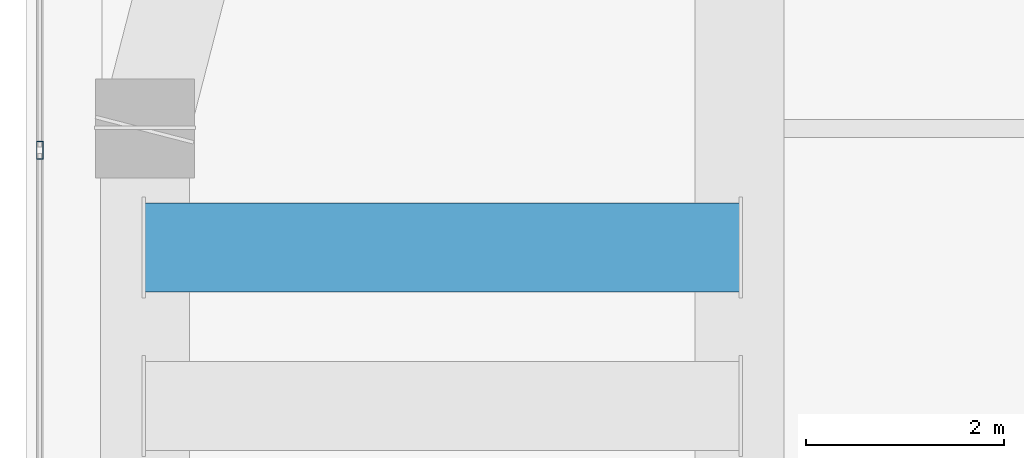
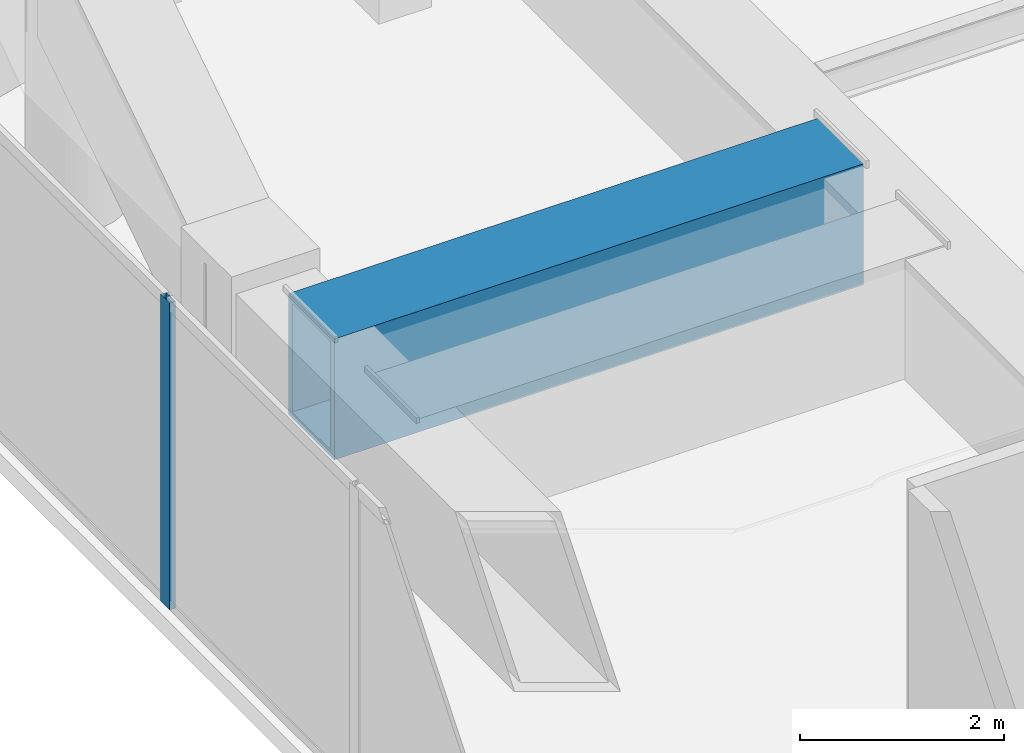
# One storey, part 6 of 21: 1 beam, 1 member, 1 element without a shape of its own.
"""IFC4 building model written with IfcOpenShell, lengths in metres."""

from ifc_helpers import new_model, si_unit, direction, frame, origin, origin_2d, place, context, subcontext, project, spatial, hollow_rectangle, extrude, material, layer, layer_set, material_profile, profile_set, type_object, element, aggregate, save


model = new_model("IFC4")

# Units and contexts
model_context = context("Model", 3, precision=1e-05, world=origin(), true_north=direction((0.0, 1.0)))
body_context = subcontext(model_context, "Body", "Model", "MODEL_VIEW")
ifc_project = project(units=[si_unit("LENGTHUNIT", "METRE"), si_unit("AREAUNIT", "SQUARE_METRE"), si_unit("VOLUMEUNIT", "CUBIC_METRE"), si_unit("PLANEANGLEUNIT", "RADIAN"), si_unit("MASSUNIT", "GRAM", prefix="KILO")], contexts=[model_context])

# Site, building, storey
site_placement = place(None, origin())
site = spatial("IfcSite", under=ifc_project, at=site_placement, CompositionType="ELEMENT")
building_placement = place(site_placement, origin())
building = spatial("IfcBuilding", under=site, at=building_placement, Name="Kiyonajd Concourse Tower", CompositionType="ELEMENT")
storey_placement = place(building_placement, frame((0.0, 0.0, 251.10009765625)))
storey = spatial("IfcBuildingStorey", under=building, at=storey_placement, Name="L63", CompositionType="ELEMENT", Elevation=251.10009765625)

# Beam
ifc_material_1 = material(Name="Steel ASTM A572 Grade 50", Category="steel")
ifc_material_profile_1 = material_profile(ifc_material_1, hollow_rectangle(XDim=0.89990234375, YDim=1.449951171875, WallThickness=0.074951171875, at=origin_2d()), Name="BOX-1450x900x75")
ifc_profile_set_1 = profile_set([ifc_material_profile_1], Name="Steel ASTM A572 Grade 50")
beam_type = type_object("IfcBeamType", Name="BM-XFER-1800", PredefinedType="BEAM", material=ifc_profile_set_1)
beam_placement = place(storey_placement, frame((26.39990234375, 52.199951171875, 2.954833984375), z_axis=(1.0, 0.0, 0.0), x_axis=(0.0, 1.0, 0.0)))
element("IfcBeam", 1, at=beam_placement, inside=storey, type_object=beam_type, Name="L63 North Setback Transfer Girder 1", PredefinedType="BEAM", context=body_context, shape_type="SweptSolid", body=[
    extrude(hollow_rectangle(XDim=0.89990234375, YDim=1.449951171875, WallThickness=0.074951171875, at=origin_2d()), origin(), (0.0, 0.0, 1.0), 6.0),
])

# Curtain wall, member
ifc_material_2 = material(Name="Thermally Broken Anodised Aluminium", Category="aluminium")
ifc_layer = layer(ifc_material_2, 0.179931640625)
ifc_layer_set = layer_set([ifc_layer], Name="Thermally Broken Anodised Aluminium")
curtain_wall_type = type_object("IfcCurtainWallType", Name="CW-SYS-04", PredefinedType="NOTDEFINED", material=ifc_layer_set)
curtain_wall_placement = place(storey_placement, origin())
curtain_wall = element("IfcCurtainWall", 2, at=curtain_wall_placement, inside=storey, type_object=curtain_wall_type, Name="L63 Unitised Curtain Wall CW4", PredefinedType="NOTDEFINED")
ifc_material_profile_2 = material_profile(ifc_material_2, hollow_rectangle(XDim=0.06494140625, YDim=0.179931640625, WallThickness=0.00390625, at=origin_2d()), Name="MULL-65x180")
ifc_profile_set_2 = profile_set([ifc_material_profile_2], Name="Thermally Broken Anodised Aluminium")
member_type = type_object("IfcMemberType", Name="MB-CW-MULL1", PredefinedType="MULLION", material=ifc_profile_set_2)
member_placement = place(storey_placement, frame((25.340087890625, 53.181396484375, 0.0), z_axis=(0.0, 0.0, 1.0), x_axis=(-1.0, 0.0, 0.0)))
member = element("IfcMember", 3, at=member_placement, type_object=member_type, Name="CW4 mullion 6", PredefinedType="MULLION", context=body_context, shape_type="SweptSolid", body=[
    extrude(hollow_rectangle(XDim=0.06494140625, YDim=0.179931640625, WallThickness=0.00390625, at=origin_2d()), origin(), (0.0, 0.0, 1.0), 3.679931640625),
])
aggregate(curtain_wall, [member])

save(model, "model.ifc")
